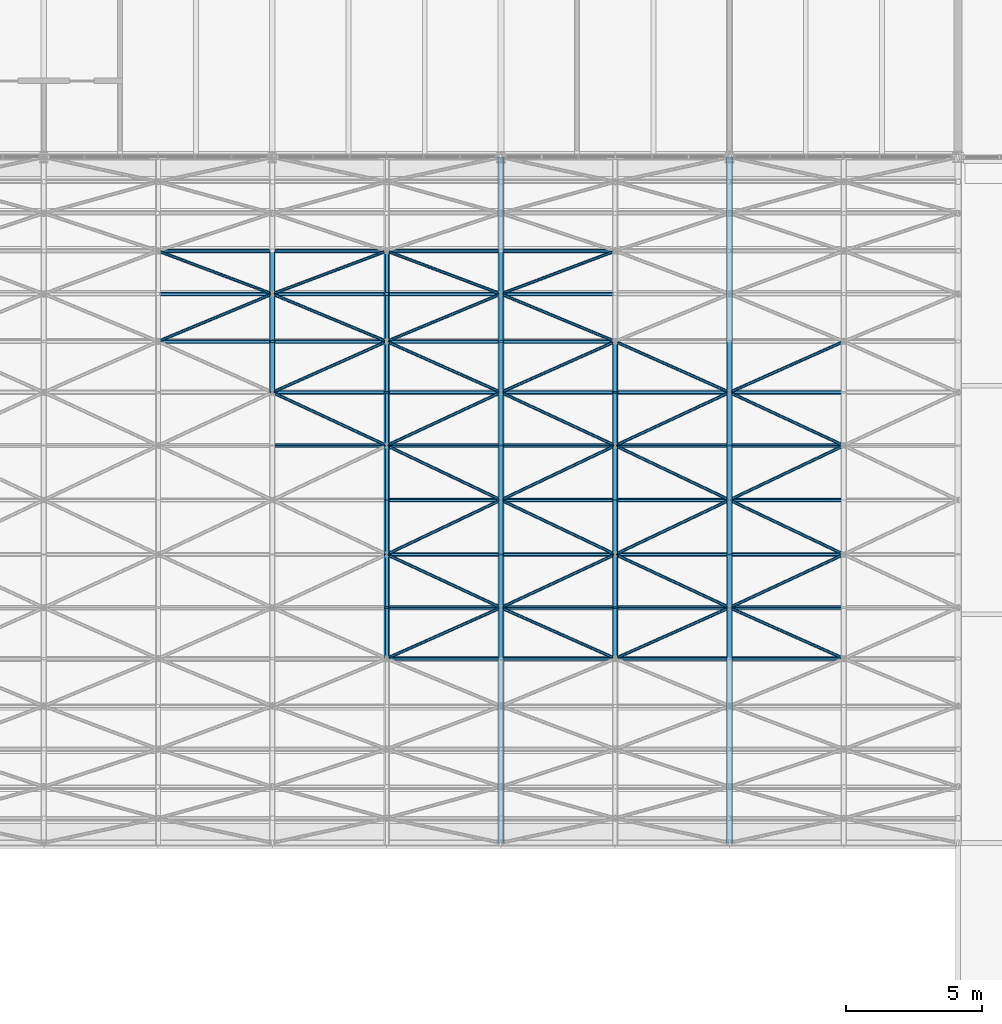
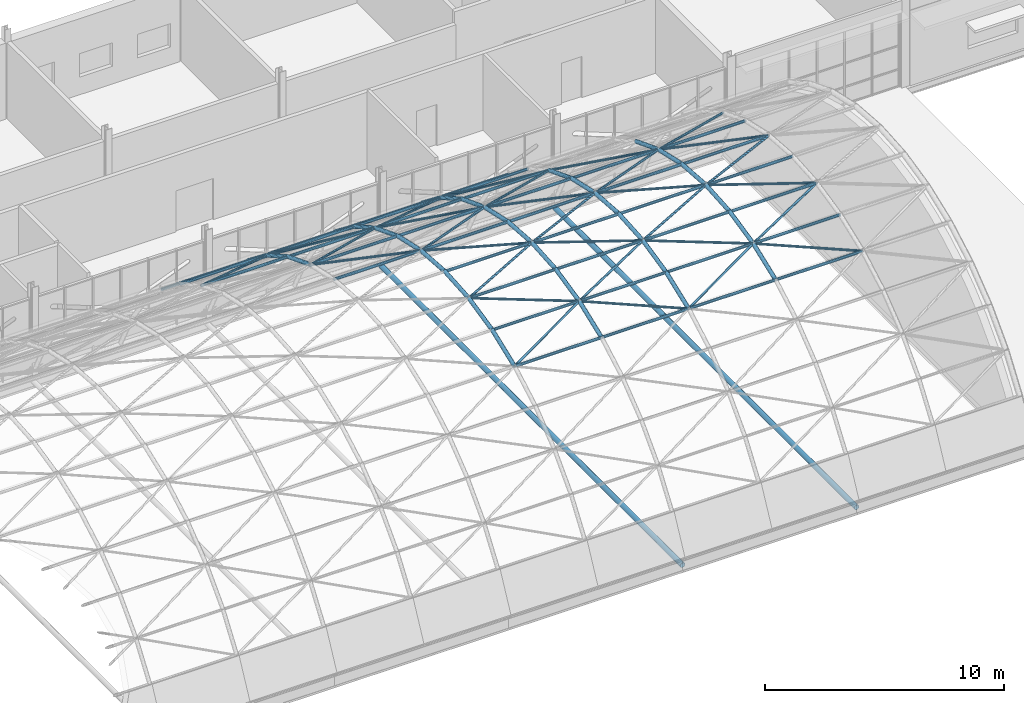
# One storey, part 52 of 121: 105 members.
"""IFC4 building model written with IfcOpenShell, lengths in metres."""

from ifc_helpers import new_model, si_unit, direction, frame, origin, origin_2d, place, context, subcontext, project, spatial, hollow_circle, extrude, material, material_profile, profile_set, type_object, element, save


model = new_model("IFC4")

# Units and contexts
model_context = context("Model", 3, precision=1e-05, world=origin(), true_north=direction((0.0, 1.0)))
body_context = subcontext(model_context, "Body", "Model", "MODEL_VIEW")
ifc_project = project(units=[si_unit("LENGTHUNIT", "METRE"), si_unit("AREAUNIT", "SQUARE_METRE"), si_unit("VOLUMEUNIT", "CUBIC_METRE"), si_unit("PLANEANGLEUNIT", "RADIAN"), si_unit("MASSUNIT", "GRAM", prefix="KILO")], contexts=[model_context])

# Site, building, storey
site_placement = place(None, origin())
site = spatial("IfcSite", under=ifc_project, at=site_placement, CompositionType="ELEMENT")
building_placement = place(site_placement, origin())
building = spatial("IfcBuilding", under=site, at=building_placement, Name="Ardhachandra Cancer Care Centre", CompositionType="ELEMENT")
storey_placement = place(building_placement, frame((0.0, 0.0, 9.0)))
storey = spatial("IfcBuildingStorey", under=building, at=storey_placement, Name="L02", CompositionType="ELEMENT", Elevation=9.0)

# Members
ifc_material_1 = material(Name="Steel E350 (IS 2062)", Category="steel")
ifc_material_profile_1 = material_profile(ifc_material_1, hollow_circle(Radius=0.05712890625, WallThickness=0.0048828125, at=origin_2d()), Name="CHS 114.3x5.0")
ifc_profile_set_1 = profile_set([ifc_material_profile_1], Name="Steel E350 (IS 2062)")
member_type_1 = type_object("IfcMemberType", Name="Hall shell Diagonal CHS 114.3x5.0", PredefinedType="BRACE", material=ifc_profile_set_1)
member_1_placement = place(storey_placement, frame((82.199951171875, 73.0263671875, 7.093994140625), z_axis=(0.902449746112, 0.375028380803, -0.211986247982), x_axis=(-0.383750001753, 0.923437023383, 0.0)))
element("IfcMember", 1, at=member_1_placement, inside=storey, type_object=member_type_1, Name="Hall shell diagonal 09-11", PredefinedType="BRACE", context=body_context, shape_type="SweptSolid", body=[
    extrude(hollow_circle(Radius=0.05712890625, WallThickness=0.0048828125, at=origin_2d()), origin(), (0.0, 0.0, 1.0), 4.654052734375),
])
member_2_placement = place(storey_placement, frame((86.39990234375, 74.771728515625, 6.107421875), z_axis=(-0.902472725391, 0.339889599942, -0.264609220884), x_axis=(-0.352452515066, -0.935829698515, 0.0)))
element("IfcMember", 2, at=member_2_placement, inside=storey, type_object=member_type_1, Name="Hall shell diagonal 10-12", PredefinedType="BRACE", context=body_context, shape_type="SweptSolid", body=[
    extrude(hollow_circle(Radius=0.05712890625, WallThickness=0.0048828125, at=origin_2d()), origin(), (0.0, 0.0, 1.0), 4.65380859375),
])
for number, where, z_axis, x_axis, name in (
    (3, (90.60009765625, 69.19921875, 8.252685546875), (-0.902464567995, 0.420335304775, -0.094212181128), (-0.422213249889, -0.906496537014, 0.0), "Hall shell diagonal 11-09"),
    (4, (86.39990234375, 71.155517578125, 7.814208984375), (0.902476632176, 0.401980843546, -0.154749248135), (-0.406882236734, 0.913480621267, 0.0), "Hall shell diagonal 10-10"),
    (5, (90.60009765625, 73.0263671875, 7.093994140625), (-0.90245948097, 0.375010627148, -0.21197621266), (-0.383730980501, -0.923444927759, 0.0), "Hall shell diagonal 11-11"),
    (6, (86.39990234375, 74.771728515625, 6.107421875), (0.90248245832, 0.33987350892, -0.264596693779), (-0.352434573121, 0.935836455621, 0.0), "Hall shell diagonal 10-12"),
):
    element("IfcMember", number, at=place(storey_placement, frame(where, z_axis=z_axis, x_axis=x_axis)), inside=storey, type_object=member_type_1, Name=name, PredefinedType="BRACE", context=body_context, shape_type="SweptSolid", body=[
        extrude(hollow_circle(Radius=0.05712890625, WallThickness=0.0048828125, at=origin_2d()), origin(), (0.0, 0.0, 1.0), 4.654052734375),
    ])
for number, where, z_axis, x_axis, name in (
    (7, (90.60009765625, 61.37353515625, 7.093994140625), (0.902466898758, 0.401999874742, 0.154756574512), (-0.406901972634, 0.913471830253, 0.0), "Hall shell diagonal 11-05"),
    (8, (94.800048828125, 63.244384765625, 7.814208984375), (-0.902454833565, 0.420355204404, 0.094216641346), (-0.422233417443, -0.906487143425, 0.0), "Hall shell diagonal 12-06"),
    (9, (90.60009765625, 65.20068359375, 8.252685546875), (0.902467816457, 0.42959419572, 0.031633325195), (-0.429809297591, 0.902919690617, 0.0), "Hall shell diagonal 11-07"),
    (10, (94.800048828125, 67.199951171875, 8.39990234375), (-0.902467816457, 0.42959419572, -0.031633325195), (-0.429809297591, -0.902919690617, 0.0), "Hall shell diagonal 12-08"),
    (11, (90.60009765625, 69.19921875, 8.252685546875), (0.902454833565, 0.420355204404, -0.094216641346), (-0.422233417443, 0.906487143425, 0.0), "Hall shell diagonal 11-09"),
    (12, (94.800048828125, 71.155517578125, 7.814208984375), (-0.902466898758, 0.401999874742, -0.154756574512), (-0.406901972634, -0.913471830253, 0.0), "Hall shell diagonal 12-10"),
):
    element("IfcMember", number, at=place(storey_placement, frame(where, z_axis=z_axis, x_axis=x_axis)), inside=storey, type_object=member_type_1, Name=name, PredefinedType="BRACE", context=body_context, shape_type="SweptSolid", body=[
        extrude(hollow_circle(Radius=0.05712890625, WallThickness=0.0048828125, at=origin_2d()), origin(), (0.0, 0.0, 1.0), 4.65380859375),
    ])
member_3_placement = place(storey_placement, frame((90.60009765625, 73.0263671875, 7.093994140625), z_axis=(0.902449746112, 0.375028380803, -0.211986247982), x_axis=(-0.383750001753, 0.923437023383, 0.0)))
element("IfcMember", 13, at=member_3_placement, inside=storey, type_object=member_type_1, Name="Hall shell diagonal 11-11", PredefinedType="BRACE", context=body_context, shape_type="SweptSolid", body=[
    extrude(hollow_circle(Radius=0.05712890625, WallThickness=0.0048828125, at=origin_2d()), origin(), (0.0, 0.0, 1.0), 4.654052734375),
])
for number, where, z_axis, x_axis, name in (
    (14, (94.800048828125, 74.771728515625, 6.107421875), (-0.902472725391, 0.339889599942, -0.264609220884), (-0.352452515066, -0.935829698515, 0.0), "Hall shell diagonal 12-12"),
    (15, (99.0, 61.37353515625, 7.093994140625), (-0.902466898758, 0.401999874742, 0.154756574512), (-0.406901972634, -0.913471830253, 0.0), "Hall shell diagonal 13-05"),
    (16, (94.800048828125, 63.244384765625, 7.814208984375), (0.902454833565, 0.420355204404, 0.094216641346), (-0.422233417443, 0.906487143425, 0.0), "Hall shell diagonal 12-06"),
    (17, (99.0, 65.20068359375, 8.252685546875), (-0.902467816457, 0.42959419572, 0.031633325195), (-0.429809297591, -0.902919690617, 0.0), "Hall shell diagonal 13-07"),
    (18, (94.800048828125, 67.199951171875, 8.39990234375), (0.902467816457, 0.42959419572, -0.031633325195), (-0.429809297591, 0.902919690617, 0.0), "Hall shell diagonal 12-08"),
    (19, (99.0, 69.19921875, 8.252685546875), (-0.902454833565, 0.420355204404, -0.094216641346), (-0.422233417443, -0.906487143425, 0.0), "Hall shell diagonal 13-09"),
    (20, (94.800048828125, 71.155517578125, 7.814208984375), (0.902466898758, 0.401999874742, -0.154756574512), (-0.406901972634, 0.913471830253, 0.0), "Hall shell diagonal 12-10"),
):
    element("IfcMember", number, at=place(storey_placement, frame(where, z_axis=z_axis, x_axis=x_axis)), inside=storey, type_object=member_type_1, Name=name, PredefinedType="BRACE", context=body_context, shape_type="SweptSolid", body=[
        extrude(hollow_circle(Radius=0.05712890625, WallThickness=0.0048828125, at=origin_2d()), origin(), (0.0, 0.0, 1.0), 4.65380859375),
    ])
member_4_placement = place(storey_placement, frame((99.0, 73.0263671875, 7.093994140625), z_axis=(-0.902449746112, 0.375028380803, -0.211986247982), x_axis=(-0.383750001753, -0.923437023383, 0.0)))
element("IfcMember", 21, at=member_4_placement, inside=storey, type_object=member_type_1, Name="Hall shell diagonal 13-11", PredefinedType="BRACE", context=body_context, shape_type="SweptSolid", body=[
    extrude(hollow_circle(Radius=0.05712890625, WallThickness=0.0048828125, at=origin_2d()), origin(), (0.0, 0.0, 1.0), 4.654052734375),
])
for number, where, z_axis, x_axis, name in (
    (22, (94.800048828125, 74.771728515625, 6.107421875), (0.902472725391, 0.339889599942, -0.264609220884), (-0.352452515066, 0.935829698515, 0.0), "Hall shell diagonal 12-12"),
    (23, (99.0, 61.37353515625, 7.093994140625), (0.902466898758, 0.401999874742, 0.154756574512), (-0.406901972634, 0.913471830253, 0.0), "Hall shell diagonal 13-05"),
    (24, (103.199951171875, 63.244384765625, 7.814208984375), (-0.902454833565, 0.420355204404, 0.094216641346), (-0.422233417443, -0.906487143425, 0.0), "Hall shell diagonal 14-06"),
    (25, (99.0, 65.20068359375, 8.252685546875), (0.902467816457, 0.42959419572, 0.031633325195), (-0.429809297591, 0.902919690617, 0.0), "Hall shell diagonal 13-07"),
    (26, (103.199951171875, 67.199951171875, 8.39990234375), (-0.902467816457, 0.42959419572, -0.031633325195), (-0.429809297591, -0.902919690617, 0.0), "Hall shell diagonal 14-08"),
    (27, (99.0, 69.19921875, 8.252685546875), (0.902454833565, 0.420355204404, -0.094216641346), (-0.422233417443, 0.906487143425, 0.0), "Hall shell diagonal 13-09"),
    (28, (103.199951171875, 71.155517578125, 7.814208984375), (-0.902466898758, 0.401999874742, -0.154756574512), (-0.406901972634, -0.913471830253, 0.0), "Hall shell diagonal 14-10"),
    (29, (107.39990234375, 61.37353515625, 7.093994140625), (-0.902466898758, 0.401999874742, 0.154756574512), (-0.406901972634, -0.913471830253, 0.0), "Hall shell diagonal 15-05"),
    (30, (103.199951171875, 63.244384765625, 7.814208984375), (0.902454833565, 0.420355204404, 0.094216641346), (-0.422233417443, 0.906487143425, 0.0), "Hall shell diagonal 14-06"),
    (31, (107.39990234375, 65.20068359375, 8.252685546875), (-0.902467816457, 0.42959419572, 0.031633325195), (-0.429809297591, -0.902919690617, 0.0), "Hall shell diagonal 15-07"),
    (32, (103.199951171875, 67.199951171875, 8.39990234375), (0.902467816457, 0.42959419572, -0.031633325195), (-0.429809297591, 0.902919690617, 0.0), "Hall shell diagonal 14-08"),
    (33, (107.39990234375, 69.19921875, 8.252685546875), (-0.902454833565, 0.420355204404, -0.094216641346), (-0.422233417443, -0.906487143425, 0.0), "Hall shell diagonal 15-09"),
    (34, (103.199951171875, 71.155517578125, 7.814208984375), (0.902466898758, 0.401999874742, -0.154756574512), (-0.406901972634, 0.913471830253, 0.0), "Hall shell diagonal 14-10"),
):
    element("IfcMember", number, at=place(storey_placement, frame(where, z_axis=z_axis, x_axis=x_axis)), inside=storey, type_object=member_type_1, Name=name, PredefinedType="BRACE", context=body_context, shape_type="SweptSolid", body=[
        extrude(hollow_circle(Radius=0.05712890625, WallThickness=0.0048828125, at=origin_2d()), origin(), (0.0, 0.0, 1.0), 4.65380859375),
    ])
ifc_material_2 = material(Name="Steel E350 (IS 2062)", Category="steel")
ifc_material_profile_2 = material_profile(ifc_material_2, hollow_circle(Radius=0.06982421875, WallThickness=0.0048828125, at=origin_2d()), Name="CHS 139.7x5.0")
ifc_profile_set_2 = profile_set([ifc_material_profile_2], Name="Steel E350 (IS 2062)")
member_type_2 = type_object("IfcMemberType", Name="Hall shell Purlin CHS 139.7x5.0", PredefinedType="PURLIN", material=ifc_profile_set_2)
for number, where, z_axis, x_axis, name in (
    (35, (90.60009765625, 61.37353515625, 7.093994140625), (1.0, 0.0, 0.0), (0.0, 1.0, 0.0), "Hall shell purlin 11-05"),
    (36, (94.800048828125, 61.37353515625, 7.093994140625), (1.0, 0.0, 0.0), (0.0, 1.0, 0.0), "Hall shell purlin 12-05"),
    (37, (99.0, 61.37353515625, 7.093994140625), (1.0, 0.0, 0.0), (0.0, 1.0, 0.0), "Hall shell purlin 13-05"),
    (38, (103.199951171875, 61.37353515625, 7.093994140625), (1.0, 0.0, 0.0), (0.0, 1.0, 0.0), "Hall shell purlin 14-05"),
    (39, (90.60009765625, 63.244384765625, 7.814208984375), (1.0, 0.0, 0.0), (0.0, 1.0, 0.0), "Hall shell purlin 11-06"),
    (40, (94.800048828125, 63.244384765625, 7.814208984375), (1.0, 0.0, 0.0), (0.0, 1.0, 0.0), "Hall shell purlin 12-06"),
    (41, (99.0, 63.244384765625, 7.814208984375), (1.0, 0.0, 0.0), (0.0, 1.0, 0.0), "Hall shell purlin 13-06"),
    (42, (103.199951171875, 63.244384765625, 7.814208984375), (1.0, 0.0, 0.0), (0.0, 1.0, 0.0), "Hall shell purlin 14-06"),
    (43, (90.60009765625, 65.20068359375, 8.252685546875), (1.0, 0.0, 0.0), (0.0, 1.0, 0.0), "Hall shell purlin 11-07"),
    (44, (94.800048828125, 65.20068359375, 8.252685546875), (1.0, 0.0, 0.0), (0.0, 1.0, 0.0), "Hall shell purlin 12-07"),
    (45, (99.0, 65.20068359375, 8.252685546875), (1.0, 0.0, 0.0), (0.0, 1.0, 0.0), "Hall shell purlin 13-07"),
    (46, (103.199951171875, 65.20068359375, 8.252685546875), (1.0, 0.0, 0.0), (0.0, 1.0, 0.0), "Hall shell purlin 14-07"),
    (47, (90.60009765625, 67.199951171875, 8.39990234375), (1.0, 0.0, 0.0), (0.0, 1.0, 0.0), "Hall shell purlin 11-08"),
    (48, (94.800048828125, 67.199951171875, 8.39990234375), (1.0, 0.0, 0.0), (0.0, 1.0, 0.0), "Hall shell purlin 12-08"),
    (49, (99.0, 67.199951171875, 8.39990234375), (1.0, 0.0, 0.0), (0.0, 1.0, 0.0), "Hall shell purlin 13-08"),
    (50, (103.199951171875, 67.199951171875, 8.39990234375), (1.0, 0.0, 0.0), (0.0, 1.0, 0.0), "Hall shell purlin 14-08"),
):
    element("IfcMember", number, at=place(storey_placement, frame(where, z_axis=z_axis, x_axis=x_axis)), inside=storey, type_object=member_type_2, Name=name, PredefinedType="PURLIN", context=body_context, shape_type="SweptSolid", body=[
        extrude(hollow_circle(Radius=0.06982421875, WallThickness=0.0048828125, at=origin_2d()), origin(), (0.0, 0.0, 1.0), 4.199951171875),
    ])
member_5_placement = place(storey_placement, frame((86.39990234375, 69.19921875, 8.252685546875), z_axis=(1.0, 0.0, 0.0), x_axis=(0.0, 1.0, 0.0)))
element("IfcMember", 51, at=member_5_placement, inside=storey, type_object=member_type_2, Name="Hall shell purlin 10-09", PredefinedType="PURLIN", context=body_context, shape_type="SweptSolid", body=[
    extrude(hollow_circle(Radius=0.06982421875, WallThickness=0.0048828125, at=origin_2d()), origin(), (0.0, 0.0, 1.0), 4.2001953125),
])
for number, where, z_axis, x_axis, name in (
    (52, (90.60009765625, 69.19921875, 8.252685546875), (1.0, 0.0, 0.0), (0.0, 1.0, 0.0), "Hall shell purlin 11-09"),
    (53, (94.800048828125, 69.19921875, 8.252685546875), (1.0, 0.0, 0.0), (0.0, 1.0, 0.0), "Hall shell purlin 12-09"),
    (54, (99.0, 69.19921875, 8.252685546875), (1.0, 0.0, 0.0), (0.0, 1.0, 0.0), "Hall shell purlin 13-09"),
    (55, (103.199951171875, 69.19921875, 8.252685546875), (1.0, 0.0, 0.0), (0.0, 1.0, 0.0), "Hall shell purlin 14-09"),
):
    element("IfcMember", number, at=place(storey_placement, frame(where, z_axis=z_axis, x_axis=x_axis)), inside=storey, type_object=member_type_2, Name=name, PredefinedType="PURLIN", context=body_context, shape_type="SweptSolid", body=[
        extrude(hollow_circle(Radius=0.06982421875, WallThickness=0.0048828125, at=origin_2d()), origin(), (0.0, 0.0, 1.0), 4.199951171875),
    ])
member_6_placement = place(storey_placement, frame((86.39990234375, 71.155517578125, 7.814208984375), z_axis=(1.0, 0.0, 0.0), x_axis=(0.0, 1.0, 0.0)))
element("IfcMember", 56, at=member_6_placement, inside=storey, type_object=member_type_2, Name="Hall shell purlin 10-10", PredefinedType="PURLIN", context=body_context, shape_type="SweptSolid", body=[
    extrude(hollow_circle(Radius=0.06982421875, WallThickness=0.0048828125, at=origin_2d()), origin(), (0.0, 0.0, 1.0), 4.2001953125),
])
for number, where, z_axis, x_axis, name in (
    (57, (90.60009765625, 71.155517578125, 7.814208984375), (1.0, 0.0, 0.0), (0.0, 1.0, 0.0), "Hall shell purlin 11-10"),
    (58, (94.800048828125, 71.155517578125, 7.814208984375), (1.0, 0.0, 0.0), (0.0, 1.0, 0.0), "Hall shell purlin 12-10"),
    (59, (99.0, 71.155517578125, 7.814208984375), (1.0, 0.0, 0.0), (0.0, 1.0, 0.0), "Hall shell purlin 13-10"),
    (60, (103.199951171875, 71.155517578125, 7.814208984375), (1.0, 0.0, 0.0), (0.0, 1.0, 0.0), "Hall shell purlin 14-10"),
    (61, (82.199951171875, 73.0263671875, 7.093994140625), (1.0, 0.0, 0.0), (0.0, 1.0, 0.0), "Hall shell purlin 09-11"),
):
    element("IfcMember", number, at=place(storey_placement, frame(where, z_axis=z_axis, x_axis=x_axis)), inside=storey, type_object=member_type_2, Name=name, PredefinedType="PURLIN", context=body_context, shape_type="SweptSolid", body=[
        extrude(hollow_circle(Radius=0.06982421875, WallThickness=0.0048828125, at=origin_2d()), origin(), (0.0, 0.0, 1.0), 4.199951171875),
    ])
member_7_placement = place(storey_placement, frame((86.39990234375, 73.0263671875, 7.093994140625), z_axis=(1.0, 0.0, 0.0), x_axis=(0.0, 1.0, 0.0)))
element("IfcMember", 62, at=member_7_placement, inside=storey, type_object=member_type_2, Name="Hall shell purlin 10-11", PredefinedType="PURLIN", context=body_context, shape_type="SweptSolid", body=[
    extrude(hollow_circle(Radius=0.06982421875, WallThickness=0.0048828125, at=origin_2d()), origin(), (0.0, 0.0, 1.0), 4.2001953125),
])
for number, where, z_axis, x_axis, name in (
    (63, (90.60009765625, 73.0263671875, 7.093994140625), (1.0, 0.0, 0.0), (0.0, 1.0, 0.0), "Hall shell purlin 11-11"),
    (64, (94.800048828125, 73.0263671875, 7.093994140625), (1.0, 0.0, 0.0), (0.0, 1.0, 0.0), "Hall shell purlin 12-11"),
    (65, (82.199951171875, 74.771728515625, 6.107421875), (1.0, 0.0, 0.0), (0.0, 1.0, 0.0), "Hall shell purlin 09-12"),
):
    element("IfcMember", number, at=place(storey_placement, frame(where, z_axis=z_axis, x_axis=x_axis)), inside=storey, type_object=member_type_2, Name=name, PredefinedType="PURLIN", context=body_context, shape_type="SweptSolid", body=[
        extrude(hollow_circle(Radius=0.06982421875, WallThickness=0.0048828125, at=origin_2d()), origin(), (0.0, 0.0, 1.0), 4.199951171875),
    ])
member_8_placement = place(storey_placement, frame((86.39990234375, 74.771728515625, 6.107421875), z_axis=(1.0, 0.0, 0.0), x_axis=(0.0, 1.0, 0.0)))
element("IfcMember", 66, at=member_8_placement, inside=storey, type_object=member_type_2, Name="Hall shell purlin 10-12", PredefinedType="PURLIN", context=body_context, shape_type="SweptSolid", body=[
    extrude(hollow_circle(Radius=0.06982421875, WallThickness=0.0048828125, at=origin_2d()), origin(), (0.0, 0.0, 1.0), 4.2001953125),
])
for number, where, z_axis, x_axis, name in (
    (67, (90.60009765625, 74.771728515625, 6.107421875), (1.0, 0.0, 0.0), (0.0, 1.0, 0.0), "Hall shell purlin 11-12"),
    (68, (94.800048828125, 74.771728515625, 6.107421875), (1.0, 0.0, 0.0), (0.0, 1.0, 0.0), "Hall shell purlin 12-12"),
    (69, (82.199951171875, 76.353515625, 4.8759765625), (1.0, 0.0, 0.0), (0.0, 1.0, 0.0), "Hall shell purlin 09-13"),
):
    element("IfcMember", number, at=place(storey_placement, frame(where, z_axis=z_axis, x_axis=x_axis)), inside=storey, type_object=member_type_2, Name=name, PredefinedType="PURLIN", context=body_context, shape_type="SweptSolid", body=[
        extrude(hollow_circle(Radius=0.06982421875, WallThickness=0.0048828125, at=origin_2d()), origin(), (0.0, 0.0, 1.0), 4.199951171875),
    ])
member_9_placement = place(storey_placement, frame((86.39990234375, 76.353515625, 4.8759765625), z_axis=(1.0, 0.0, 0.0), x_axis=(0.0, 1.0, 0.0)))
element("IfcMember", 70, at=member_9_placement, inside=storey, type_object=member_type_2, Name="Hall shell purlin 10-13", PredefinedType="PURLIN", context=body_context, shape_type="SweptSolid", body=[
    extrude(hollow_circle(Radius=0.06982421875, WallThickness=0.0048828125, at=origin_2d()), origin(), (0.0, 0.0, 1.0), 4.2001953125),
])
for number, where, z_axis, x_axis, name in (
    (71, (90.60009765625, 76.353515625, 4.8759765625), (1.0, 0.0, 0.0), (0.0, 1.0, 0.0), "Hall shell purlin 11-13"),
    (72, (94.800048828125, 76.353515625, 4.8759765625), (1.0, 0.0, 0.0), (0.0, 1.0, 0.0), "Hall shell purlin 12-13"),
):
    element("IfcMember", number, at=place(storey_placement, frame(where, z_axis=z_axis, x_axis=x_axis)), inside=storey, type_object=member_type_2, Name=name, PredefinedType="PURLIN", context=body_context, shape_type="SweptSolid", body=[
        extrude(hollow_circle(Radius=0.06982421875, WallThickness=0.0048828125, at=origin_2d()), origin(), (0.0, 0.0, 1.0), 4.199951171875),
    ])
ifc_material_3 = material(Name="Steel E350 (IS 2062)", Category="steel")
ifc_material_profile_3 = material_profile(ifc_material_3, hollow_circle(Radius=0.096923828125, WallThickness=0.008056640625, at=origin_2d()), Name="CHS 193.7x8.0")
ifc_profile_set_3 = profile_set([ifc_material_profile_3], Name="Steel E350 (IS 2062)")
member_type_3 = type_object("IfcMemberType", Name="Hall shell Rib CHS 193.7x8.0", PredefinedType="RAFTER", material=ifc_profile_set_3)
member_10_placement = place(storey_placement, frame((86.39990234375, 71.155517578125, 7.814208984375), z_axis=(0.0, 0.933235705219, -0.359264691426), x_axis=(-1.0, 0.0, 0.0)))
element("IfcMember", 73, at=member_10_placement, inside=storey, type_object=member_type_3, Name="Hall shell rib 10-10", PredefinedType="RAFTER", context=body_context, shape_type="SweptSolid", body=[
    extrude(hollow_circle(Radius=0.096923828125, WallThickness=0.008056640625, at=origin_2d()), origin(), (0.0, 0.0, 1.0), 2.004638671875),
])
member_11_placement = place(storey_placement, frame((86.39990234375, 73.0263671875, 7.093994140625), z_axis=(0.0, 0.870549230609, -0.492081331779), x_axis=(-1.0, 0.0, 0.0)))
element("IfcMember", 74, at=member_11_placement, inside=storey, type_object=member_type_3, Name="Hall shell rib 10-11", PredefinedType="RAFTER", context=body_context, shape_type="SweptSolid", body=[
    extrude(hollow_circle(Radius=0.096923828125, WallThickness=0.008056640625, at=origin_2d()), origin(), (0.0, 0.0, 1.0), 2.0048828125),
])
for number, where, z_axis, x_axis, name in (
    (75, (86.39990234375, 74.771728515625, 6.107421875), (0.0, 0.789070146017, -0.614303104879), (-1.0, 0.0, 0.0), "Hall shell rib 10-12"),
    (76, (90.60009765625, 61.37353515625, 7.093994140625), (0.0, 0.933235705219, 0.359264691426), (-1.0, 0.0, 0.0), "Hall shell rib 11-05"),
):
    element("IfcMember", number, at=place(storey_placement, frame(where, z_axis=z_axis, x_axis=x_axis)), inside=storey, type_object=member_type_3, Name=name, PredefinedType="RAFTER", context=body_context, shape_type="SweptSolid", body=[
        extrude(hollow_circle(Radius=0.096923828125, WallThickness=0.008056640625, at=origin_2d()), origin(), (0.0, 0.0, 1.0), 2.004638671875),
    ])
member_12_placement = place(storey_placement, frame((90.60009765625, 63.244384765625, 7.814208984375), z_axis=(0.0, 0.9757900251, 0.218709457766), x_axis=(-1.0, 0.0, 0.0)))
element("IfcMember", 77, at=member_12_placement, inside=storey, type_object=member_type_3, Name="Hall shell rib 11-06", PredefinedType="RAFTER", context=body_context, shape_type="SweptSolid", body=[
    extrude(hollow_circle(Radius=0.096923828125, WallThickness=0.008056640625, at=origin_2d()), origin(), (0.0, 0.0, 1.0), 2.0048828125),
])
for number, where, z_axis, x_axis, name in (
    (78, (90.60009765625, 65.20068359375, 8.252685546875), (0.0, 0.997299891926, 0.073436541071), (-1.0, 0.0, 0.0), "Hall shell rib 11-07"),
    (79, (90.60009765625, 67.199951171875, 8.39990234375), (0.0, 0.997299891926, -0.073436541071), (-1.0, 0.0, 0.0), "Hall shell rib 11-08"),
):
    element("IfcMember", number, at=place(storey_placement, frame(where, z_axis=z_axis, x_axis=x_axis)), inside=storey, type_object=member_type_3, Name=name, PredefinedType="RAFTER", context=body_context, shape_type="SweptSolid", body=[
        extrude(hollow_circle(Radius=0.096923828125, WallThickness=0.008056640625, at=origin_2d()), origin(), (0.0, 0.0, 1.0), 2.004638671875),
    ])
member_13_placement = place(storey_placement, frame((90.60009765625, 69.19921875, 8.252685546875), z_axis=(0.0, 0.9757900251, -0.218709457766), x_axis=(-1.0, 0.0, 0.0)))
element("IfcMember", 80, at=member_13_placement, inside=storey, type_object=member_type_3, Name="Hall shell rib 11-09", PredefinedType="RAFTER", context=body_context, shape_type="SweptSolid", body=[
    extrude(hollow_circle(Radius=0.096923828125, WallThickness=0.008056640625, at=origin_2d()), origin(), (0.0, 0.0, 1.0), 2.0048828125),
])
member_14_placement = place(storey_placement, frame((90.60009765625, 71.155517578125, 7.814208984375), z_axis=(0.0, 0.933235705219, -0.359264691426), x_axis=(-1.0, 0.0, 0.0)))
element("IfcMember", 81, at=member_14_placement, inside=storey, type_object=member_type_3, Name="Hall shell rib 11-10", PredefinedType="RAFTER", context=body_context, shape_type="SweptSolid", body=[
    extrude(hollow_circle(Radius=0.096923828125, WallThickness=0.008056640625, at=origin_2d()), origin(), (0.0, 0.0, 1.0), 2.004638671875),
])
member_15_placement = place(storey_placement, frame((90.60009765625, 73.0263671875, 7.093994140625), z_axis=(0.0, 0.870549230609, -0.492081331779), x_axis=(-1.0, 0.0, 0.0)))
element("IfcMember", 82, at=member_15_placement, inside=storey, type_object=member_type_3, Name="Hall shell rib 11-11", PredefinedType="RAFTER", context=body_context, shape_type="SweptSolid", body=[
    extrude(hollow_circle(Radius=0.096923828125, WallThickness=0.008056640625, at=origin_2d()), origin(), (0.0, 0.0, 1.0), 2.0048828125),
])
for number, where, z_axis, x_axis, name in (
    (83, (90.60009765625, 74.771728515625, 6.107421875), (0.0, 0.789070146017, -0.614303104879), (-1.0, 0.0, 0.0), "Hall shell rib 11-12"),
    (84, (94.800048828125, 61.37353515625, 7.093994140625), (0.0, 0.933235705219, 0.359264691426), (-1.0, 0.0, 0.0), "Hall shell rib 12-05"),
):
    element("IfcMember", number, at=place(storey_placement, frame(where, z_axis=z_axis, x_axis=x_axis)), inside=storey, type_object=member_type_3, Name=name, PredefinedType="RAFTER", context=body_context, shape_type="SweptSolid", body=[
        extrude(hollow_circle(Radius=0.096923828125, WallThickness=0.008056640625, at=origin_2d()), origin(), (0.0, 0.0, 1.0), 2.004638671875),
    ])
member_16_placement = place(storey_placement, frame((94.800048828125, 63.244384765625, 7.814208984375), z_axis=(0.0, 0.9757900251, 0.218709457766), x_axis=(-1.0, 0.0, 0.0)))
element("IfcMember", 85, at=member_16_placement, inside=storey, type_object=member_type_3, Name="Hall shell rib 12-06", PredefinedType="RAFTER", context=body_context, shape_type="SweptSolid", body=[
    extrude(hollow_circle(Radius=0.096923828125, WallThickness=0.008056640625, at=origin_2d()), origin(), (0.0, 0.0, 1.0), 2.0048828125),
])
for number, where, z_axis, x_axis, name in (
    (86, (94.800048828125, 65.20068359375, 8.252685546875), (0.0, 0.997299891926, 0.073436541071), (-1.0, 0.0, 0.0), "Hall shell rib 12-07"),
    (87, (94.800048828125, 67.199951171875, 8.39990234375), (0.0, 0.997299891926, -0.073436541071), (-1.0, 0.0, 0.0), "Hall shell rib 12-08"),
):
    element("IfcMember", number, at=place(storey_placement, frame(where, z_axis=z_axis, x_axis=x_axis)), inside=storey, type_object=member_type_3, Name=name, PredefinedType="RAFTER", context=body_context, shape_type="SweptSolid", body=[
        extrude(hollow_circle(Radius=0.096923828125, WallThickness=0.008056640625, at=origin_2d()), origin(), (0.0, 0.0, 1.0), 2.004638671875),
    ])
member_17_placement = place(storey_placement, frame((94.800048828125, 69.19921875, 8.252685546875), z_axis=(0.0, 0.9757900251, -0.218709457766), x_axis=(-1.0, 0.0, 0.0)))
element("IfcMember", 88, at=member_17_placement, inside=storey, type_object=member_type_3, Name="Hall shell rib 12-09", PredefinedType="RAFTER", context=body_context, shape_type="SweptSolid", body=[
    extrude(hollow_circle(Radius=0.096923828125, WallThickness=0.008056640625, at=origin_2d()), origin(), (0.0, 0.0, 1.0), 2.0048828125),
])
member_18_placement = place(storey_placement, frame((94.800048828125, 71.155517578125, 7.814208984375), z_axis=(0.0, 0.933235705219, -0.359264691426), x_axis=(-1.0, 0.0, 0.0)))
element("IfcMember", 89, at=member_18_placement, inside=storey, type_object=member_type_3, Name="Hall shell rib 12-10", PredefinedType="RAFTER", context=body_context, shape_type="SweptSolid", body=[
    extrude(hollow_circle(Radius=0.096923828125, WallThickness=0.008056640625, at=origin_2d()), origin(), (0.0, 0.0, 1.0), 2.004638671875),
])
member_19_placement = place(storey_placement, frame((94.800048828125, 73.0263671875, 7.093994140625), z_axis=(0.0, 0.870549230609, -0.492081331779), x_axis=(-1.0, 0.0, 0.0)))
element("IfcMember", 90, at=member_19_placement, inside=storey, type_object=member_type_3, Name="Hall shell rib 12-11", PredefinedType="RAFTER", context=body_context, shape_type="SweptSolid", body=[
    extrude(hollow_circle(Radius=0.096923828125, WallThickness=0.008056640625, at=origin_2d()), origin(), (0.0, 0.0, 1.0), 2.0048828125),
])
for number, where, z_axis, x_axis, name in (
    (91, (94.800048828125, 74.771728515625, 6.107421875), (0.0, 0.789070146017, -0.614303104879), (-1.0, 0.0, 0.0), "Hall shell rib 12-12"),
    (92, (99.0, 61.37353515625, 7.093994140625), (0.0, 0.933235705219, 0.359264691426), (-1.0, 0.0, 0.0), "Hall shell rib 13-05"),
):
    element("IfcMember", number, at=place(storey_placement, frame(where, z_axis=z_axis, x_axis=x_axis)), inside=storey, type_object=member_type_3, Name=name, PredefinedType="RAFTER", context=body_context, shape_type="SweptSolid", body=[
        extrude(hollow_circle(Radius=0.096923828125, WallThickness=0.008056640625, at=origin_2d()), origin(), (0.0, 0.0, 1.0), 2.004638671875),
    ])
member_20_placement = place(storey_placement, frame((99.0, 63.244384765625, 7.814208984375), z_axis=(0.0, 0.9757900251, 0.218709457766), x_axis=(-1.0, 0.0, 0.0)))
element("IfcMember", 93, at=member_20_placement, inside=storey, type_object=member_type_3, Name="Hall shell rib 13-06", PredefinedType="RAFTER", context=body_context, shape_type="SweptSolid", body=[
    extrude(hollow_circle(Radius=0.096923828125, WallThickness=0.008056640625, at=origin_2d()), origin(), (0.0, 0.0, 1.0), 2.0048828125),
])
for number, where, z_axis, x_axis, name in (
    (94, (99.0, 65.20068359375, 8.252685546875), (0.0, 0.997299891926, 0.073436541071), (-1.0, 0.0, 0.0), "Hall shell rib 13-07"),
    (95, (99.0, 67.199951171875, 8.39990234375), (0.0, 0.997299891926, -0.073436541071), (-1.0, 0.0, 0.0), "Hall shell rib 13-08"),
):
    element("IfcMember", number, at=place(storey_placement, frame(where, z_axis=z_axis, x_axis=x_axis)), inside=storey, type_object=member_type_3, Name=name, PredefinedType="RAFTER", context=body_context, shape_type="SweptSolid", body=[
        extrude(hollow_circle(Radius=0.096923828125, WallThickness=0.008056640625, at=origin_2d()), origin(), (0.0, 0.0, 1.0), 2.004638671875),
    ])
member_21_placement = place(storey_placement, frame((99.0, 69.19921875, 8.252685546875), z_axis=(0.0, 0.9757900251, -0.218709457766), x_axis=(-1.0, 0.0, 0.0)))
element("IfcMember", 96, at=member_21_placement, inside=storey, type_object=member_type_3, Name="Hall shell rib 13-09", PredefinedType="RAFTER", context=body_context, shape_type="SweptSolid", body=[
    extrude(hollow_circle(Radius=0.096923828125, WallThickness=0.008056640625, at=origin_2d()), origin(), (0.0, 0.0, 1.0), 2.0048828125),
])
for number, where, z_axis, x_axis, name in (
    (97, (99.0, 71.155517578125, 7.814208984375), (0.0, 0.933235705219, -0.359264691426), (-1.0, 0.0, 0.0), "Hall shell rib 13-10"),
    (98, (103.199951171875, 61.37353515625, 7.093994140625), (0.0, 0.933235705219, 0.359264691426), (-1.0, 0.0, 0.0), "Hall shell rib 14-05"),
):
    element("IfcMember", number, at=place(storey_placement, frame(where, z_axis=z_axis, x_axis=x_axis)), inside=storey, type_object=member_type_3, Name=name, PredefinedType="RAFTER", context=body_context, shape_type="SweptSolid", body=[
        extrude(hollow_circle(Radius=0.096923828125, WallThickness=0.008056640625, at=origin_2d()), origin(), (0.0, 0.0, 1.0), 2.004638671875),
    ])
member_22_placement = place(storey_placement, frame((103.199951171875, 63.244384765625, 7.814208984375), z_axis=(0.0, 0.9757900251, 0.218709457766), x_axis=(-1.0, 0.0, 0.0)))
element("IfcMember", 99, at=member_22_placement, inside=storey, type_object=member_type_3, Name="Hall shell rib 14-06", PredefinedType="RAFTER", context=body_context, shape_type="SweptSolid", body=[
    extrude(hollow_circle(Radius=0.096923828125, WallThickness=0.008056640625, at=origin_2d()), origin(), (0.0, 0.0, 1.0), 2.0048828125),
])
for number, where, z_axis, x_axis, name in (
    (100, (103.199951171875, 65.20068359375, 8.252685546875), (0.0, 0.997299891926, 0.073436541071), (-1.0, 0.0, 0.0), "Hall shell rib 14-07"),
    (101, (103.199951171875, 67.199951171875, 8.39990234375), (0.0, 0.997299891926, -0.073436541071), (-1.0, 0.0, 0.0), "Hall shell rib 14-08"),
):
    element("IfcMember", number, at=place(storey_placement, frame(where, z_axis=z_axis, x_axis=x_axis)), inside=storey, type_object=member_type_3, Name=name, PredefinedType="RAFTER", context=body_context, shape_type="SweptSolid", body=[
        extrude(hollow_circle(Radius=0.096923828125, WallThickness=0.008056640625, at=origin_2d()), origin(), (0.0, 0.0, 1.0), 2.004638671875),
    ])
member_23_placement = place(storey_placement, frame((103.199951171875, 69.19921875, 8.252685546875), z_axis=(0.0, 0.9757900251, -0.218709457766), x_axis=(-1.0, 0.0, 0.0)))
element("IfcMember", 102, at=member_23_placement, inside=storey, type_object=member_type_3, Name="Hall shell rib 14-09", PredefinedType="RAFTER", context=body_context, shape_type="SweptSolid", body=[
    extrude(hollow_circle(Radius=0.096923828125, WallThickness=0.008056640625, at=origin_2d()), origin(), (0.0, 0.0, 1.0), 2.0048828125),
])
member_24_placement = place(storey_placement, frame((103.199951171875, 71.155517578125, 7.814208984375), z_axis=(0.0, 0.933235705219, -0.359264691426), x_axis=(-1.0, 0.0, 0.0)))
element("IfcMember", 103, at=member_24_placement, inside=storey, type_object=member_type_3, Name="Hall shell rib 14-10", PredefinedType="RAFTER", context=body_context, shape_type="SweptSolid", body=[
    extrude(hollow_circle(Radius=0.096923828125, WallThickness=0.008056640625, at=origin_2d()), origin(), (0.0, 0.0, 1.0), 2.004638671875),
])
ifc_material_4 = material(Name="Steel E350 (IS 2062)", Category="steel")
ifc_material_profile_4 = material_profile(ifc_material_4, hollow_circle(Radius=0.122314453125, WallThickness=0.010009765625, at=origin_2d()), Name="CHS 244.5x10.0")
ifc_profile_set_4 = profile_set([ifc_material_profile_4], Name="Steel E350 (IS 2062)")
member_type_4 = type_object("IfcMemberType", Name="Hall tie CHS 244.5x10.0", PredefinedType="MEMBER", material=ifc_profile_set_4)
for number, where, z_axis, x_axis, name in (
    (104, (94.800048828125, 54.60009765625, -0.41455078125), (0.0, 1.0, 0.0), (-1.0, 0.0, 0.0), "Hall tie 06"),
    (105, (103.199951171875, 54.60009765625, -0.41455078125), (0.0, 1.0, 0.0), (-1.0, 0.0, 0.0), "Hall tie 07"),
):
    element("IfcMember", number, at=place(storey_placement, frame(where, z_axis=z_axis, x_axis=x_axis)), inside=storey, type_object=member_type_4, Name=name, PredefinedType="MEMBER", context=body_context, shape_type="SweptSolid", body=[
        extrude(hollow_circle(Radius=0.122314453125, WallThickness=0.010009765625, at=origin_2d()), origin(), (0.0, 0.0, 1.0), 25.199951171875),
    ])

save(model, "model.ifc")
